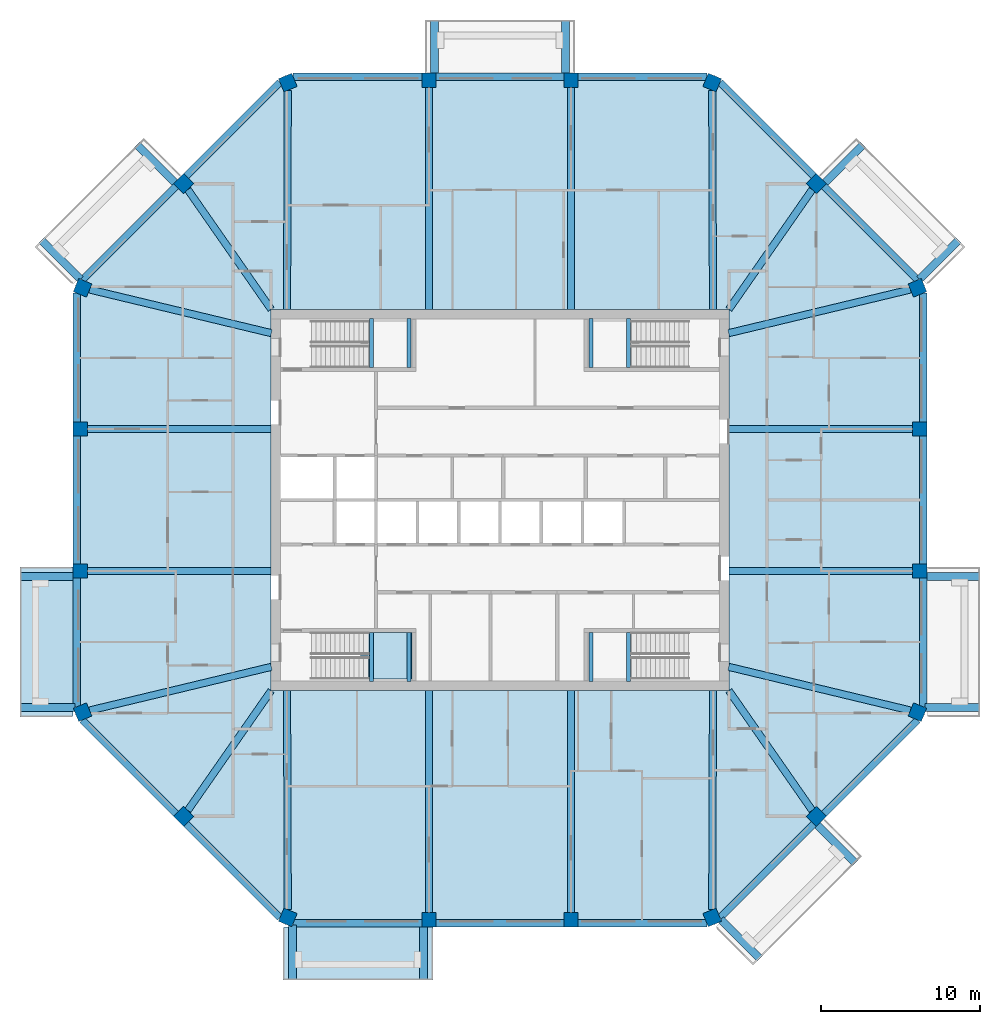
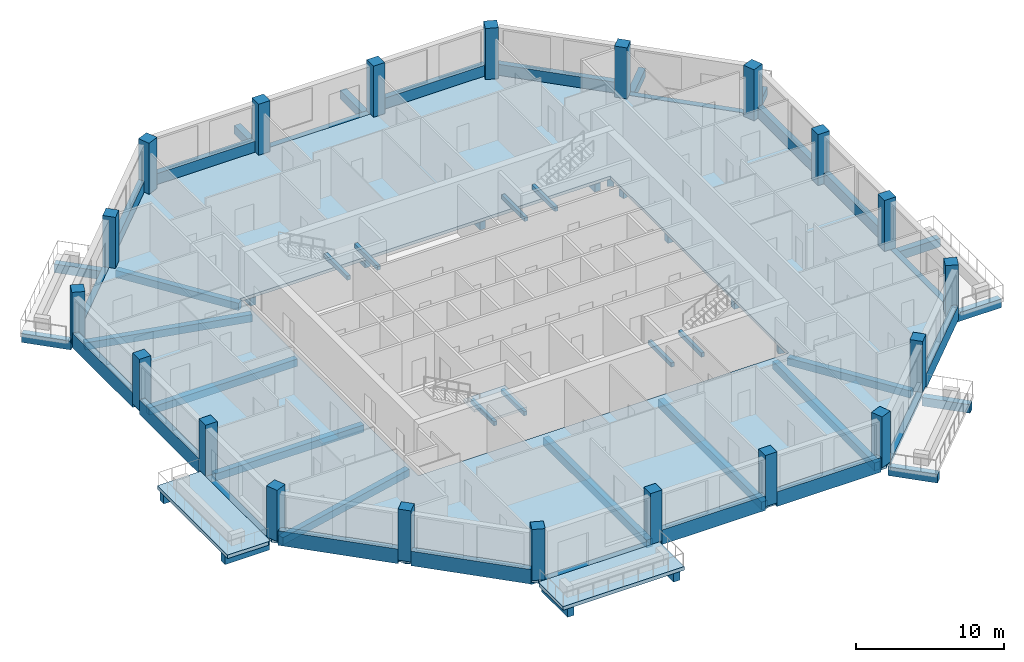
# One storey, part 1 of 11: 62 beams, 20 columns, 4 slabs, 1 element without a shape of its own.
"""IFC4 building model written with IfcOpenShell, lengths in metres."""

import ifcopenshell
import ifcopenshell.guid

model = None  # the IFC model being written
_history = None  # IfcOwnerHistory: only IFC2X3 demands one
_inside = {}  # id of a spatial element -> (the spatial element, [elements in it])
_under = {}  # id of a project, library or spatial element -> (it, [spatial elements below it])
_declared = {}  # id of a project -> (the project, [libraries it declares])
_typed = {}  # id of a type object -> (the type object, [elements of that type])
_made_of = {}  # id of a material, layer set ... -> (it, [elements and type objects made of it])


def new_model(schema):
    """Start an empty IFC model of exactly this schema.

    Asked for "IFC4X3", IfcOpenShell would pick the latest addendum, in which some entities
    have other attributes; the version numbers below select the first issue.
    IFC2X3 requires an IfcOwnerHistory on every rooted entity: one is made here for all.
    """
    global model, _history
    if schema == "IFC4X3":
        model = ifcopenshell.file(schema_version=(4, 3, 0, 0))
    else:
        model = ifcopenshell.file(schema=schema)
    _inside.clear()
    _under.clear()
    _declared.clear()
    _typed.clear()
    _made_of.clear()
    _history = None
    if model.schema == "IFC2X3":
        org = make("IfcOrganization", Name="unknown")
        user = make(
            "IfcPersonAndOrganization",
            ThePerson=make("IfcPerson", FamilyName="unknown"),
            TheOrganization=org,
        )
        app = make(
            "IfcApplication",
            ApplicationDeveloper=org,
            Version="unknown",
            ApplicationFullName="unknown",
            ApplicationIdentifier="unknown",
        )
        _history = make(
            "IfcOwnerHistory",
            OwningUser=user,
            OwningApplication=app,
            ChangeAction="ADDED",
            CreationDate=0,
        )
    return model


def make(cls, **values):
    """One entity of the class cls with the attributes given. An attribute that is None is left unset."""
    return model.create_entity(
        cls, **{name: value for name, value in values.items() if value is not None}
    )


def rooted(cls, **values):
    """An entity with a GlobalId (a new one), such as an element, a storey or a relation."""
    return make(cls, GlobalId=ifcopenshell.guid.new(), OwnerHistory=_history, **values)


def si_unit(unit_type, name, prefix=None):
    """IfcSIUnit, for example si_unit("LENGTHUNIT", "METRE", prefix="MILLI")."""
    return make("IfcSIUnit", UnitType=unit_type, Prefix=prefix, Name=name)


def assignment(units):
    """IfcUnitAssignment: the units of a project."""
    return None if units is None else make("IfcUnitAssignment", Units=units)


def point(xyz):
    """IfcCartesianPoint."""
    return None if xyz is None else make("IfcCartesianPoint", Coordinates=xyz)


def direction(xyz):
    """IfcDirection."""
    return None if xyz is None else make("IfcDirection", DirectionRatios=xyz)


def frame(location, z_axis=None, x_axis=None):
    """IfcAxis2Placement3D, a coordinate frame: its origin and axes. An axis left out is left unset."""
    return make(
        "IfcAxis2Placement3D",
        Location=point(location),
        Axis=direction(z_axis),
        RefDirection=direction(x_axis),
    )


def frame_2d(location, x_axis=None):
    """IfcAxis2Placement2D, a coordinate frame in the plane: its origin and x axis."""
    return make(
        "IfcAxis2Placement2D", Location=point(location), RefDirection=direction(x_axis)
    )


def origin():
    """The frame at (0, 0, 0) with its axes left unset."""
    return frame((0.0, 0.0, 0.0))


def origin_2d():
    """The frame at (0, 0) in the plane with its x axis left unset."""
    return frame_2d((0.0, 0.0))


def place(relative_to, where):
    """IfcLocalPlacement: puts the frame where relative to a parent placement (None: the world)."""
    return make(
        "IfcLocalPlacement", PlacementRelTo=relative_to, RelativePlacement=where
    )


def context(
    kind, dimensions, precision=None, world=None, true_north=None, identifier=None
):
    """IfcGeometricRepresentationContext, for example the 3D "Model" context."""
    return make(
        "IfcGeometricRepresentationContext",
        ContextIdentifier=identifier,
        ContextType=kind,
        CoordinateSpaceDimension=dimensions,
        Precision=precision,
        WorldCoordinateSystem=world,
        TrueNorth=true_north,
    )


def subcontext(parent, identifier, kind, view, scale=None):
    """IfcGeometricRepresentationSubContext, for example "Body" below "Model"."""
    return make(
        "IfcGeometricRepresentationSubContext",
        ContextIdentifier=identifier,
        ContextType=kind,
        ParentContext=parent,
        TargetScale=scale,
        TargetView=view,
    )


def project(units=None, contexts=None):
    """IfcProject with its units and contexts."""
    return rooted(
        "IfcProject",
        Name="project",
        RepresentationContexts=contexts,
        UnitsInContext=assignment(units),
    )


def spatial(cls, under=None, at=None, **own):
    """A site, building, storey or space (cls), placed at a placement, below another one or the project."""
    s = rooted(cls, ObjectPlacement=at, **own)
    if under is not None:
        _under.setdefault(under.id(), (under, []))[1].append(s)
    return s


def polyline(points):
    """IfcPolyline through the points."""
    return make("IfcPolyline", Points=[point(p) for p in points])


def profile(cls, at=None, kind="AREA", **sizes):
    """A parametric profile (cls). Its sizes go by their IFC names, for example OverallWidth=200.0."""
    return make(cls, ProfileType=kind, Position=at, **sizes)


def rectangle(**sizes):
    """IfcRectangleProfileDef."""
    return profile("IfcRectangleProfileDef", **sizes)


def outline(outer, holes=None, kind="AREA"):
    """IfcArbitraryClosedProfileDef: a profile drawn as a closed curve; with holes, ...WithVoids."""
    if holes is None:
        return make("IfcArbitraryClosedProfileDef", ProfileType=kind, OuterCurve=outer)
    return make(
        "IfcArbitraryProfileDefWithVoids",
        ProfileType=kind,
        OuterCurve=outer,
        InnerCurves=holes,
    )


def extrude(swept, where, along, depth):
    """IfcExtrudedAreaSolid: the profile swept, set in the frame where, extruded along a direction by depth."""
    return make(
        "IfcExtrudedAreaSolid",
        SweptArea=swept,
        Position=where,
        ExtrudedDirection=direction(along),
        Depth=depth,
    )


def shape(context_of_items, identifier, shape_type, items):
    """IfcShapeRepresentation: the items that make up one representation, for example the "Body"."""
    return make(
        "IfcShapeRepresentation",
        ContextOfItems=context_of_items,
        RepresentationIdentifier=identifier,
        RepresentationType=shape_type,
        Items=items,
    )


def material(Name=None, Category=None):
    """IfcMaterial."""
    return make("IfcMaterial", Name=Name, Category=Category)


def layer(
    of_material, thickness, ventilated=None, Name=None, Category=None, Priority=None
):
    """IfcMaterialLayer: one layer of a wall or slab, of a material (None: an air gap)."""
    return make(
        "IfcMaterialLayer",
        Material=of_material,
        LayerThickness=thickness,
        IsVentilated=ventilated,
        Name=Name,
        Category=Category,
        Priority=Priority,
    )


def layer_set(layers, Name=None):
    """IfcMaterialLayerSet."""
    return make("IfcMaterialLayerSet", MaterialLayers=layers, LayerSetName=Name)


def material_profile(
    of_material, cross_section, Name=None, Category=None, Priority=None
):
    """IfcMaterialProfile: a cross section and its material."""
    return make(
        "IfcMaterialProfile",
        Name=Name,
        Material=of_material,
        Profile=cross_section,
        Priority=Priority,
        Category=Category,
    )


def profile_set(profiles, Name=None, composite=None):
    """IfcMaterialProfileSet."""
    return make(
        "IfcMaterialProfileSet",
        Name=Name,
        MaterialProfiles=profiles,
        CompositeProfile=composite,
    )


def made_of(thing, what):
    """Note that an element or type object is made of a material, layer set ...; save() writes the relation."""
    if what is not None:
        _made_of.setdefault(what.id(), (what, []))[1].append(thing)
    return thing


def type_object(cls, material=None, **own):
    """A type object (cls), such as IfcWallType, which elements share."""
    return made_of(rooted(cls, **own), material)


def element(
    cls,
    number,
    at=None,
    inside=None,
    cuts=None,
    type_object=None,
    material=None,
    context=None,
    identifier="Body",
    shape_type=None,
    held_by="IfcProductDefinitionShape",
    body=None,
    shapes=None,
    **own,
):
    """One element of the class cls, such as IfcWall. Its Tag is "e" and its number.

    at: its placement. inside: the storey or other place that contains it. cuts: it is an
    opening in that element (IfcRelVoidsElement). A single representation is given by context,
    identifier, shape_type and body (its items); several are given by shapes. held_by: the class
    of the entity that holds the representations. save() writes the other relations.
    """
    e = rooted(cls, Tag="e%d" % number, ObjectPlacement=at, **own)
    if body is not None:
        shapes = [shape(context, identifier, shape_type, body)]
    if shapes is not None:
        e.Representation = make(held_by, Representations=shapes)
    if inside is not None:
        _inside.setdefault(inside.id(), (inside, []))[1].append(e)
    if cuts is not None:
        rooted(
            "IfcRelVoidsElement", RelatingBuildingElement=cuts, RelatedOpeningElement=e
        )
    if type_object is not None:
        _typed.setdefault(type_object.id(), (type_object, []))[1].append(e)
    return made_of(e, material)


def aggregate(whole, parts):
    """IfcRelAggregates: a whole, such as a stair, and the parts it consists of."""
    return rooted("IfcRelAggregates", RelatingObject=whole, RelatedObjects=parts)


def save(model, path):
    """Write the relations noted so far, then the file.

    IfcRelAggregates (storeys below a building ...), IfcRelContainedInSpatialStructure (elements
    in a storey), IfcRelDefinesByType, IfcRelAssociatesMaterial and IfcRelDeclares: one each for
    every whole, place, type object, material and project.
    """
    for whole, parts in _under.values():
        aggregate(whole, parts)
    for where, things in _inside.values():
        rooted(
            "IfcRelContainedInSpatialStructure",
            RelatedElements=things,
            RelatingStructure=where,
        )
    for kind, things in _typed.values():
        rooted("IfcRelDefinesByType", RelatedObjects=things, RelatingType=kind)
    for what, things in _made_of.values():
        rooted("IfcRelAssociatesMaterial", RelatedObjects=things, RelatingMaterial=what)
    for by, libraries in _declared.values():
        rooted("IfcRelDeclares", RelatingContext=by, RelatedDefinitions=libraries)
    model.write(path)


model = new_model("IFC4")

# Units and contexts
model_context = context("Model", 3, precision=1e-05, world=origin(), true_north=direction((0.0, 1.0)))
body_context = subcontext(model_context, "Body", "Model", "MODEL_VIEW")
ifc_project = project(units=[si_unit("LENGTHUNIT", "METRE"), si_unit("AREAUNIT", "SQUARE_METRE"), si_unit("VOLUMEUNIT", "CUBIC_METRE"), si_unit("PLANEANGLEUNIT", "RADIAN"), si_unit("MASSUNIT", "GRAM", prefix="KILO")], contexts=[model_context])

# Site, building, storey
site_placement = place(None, origin())
site = spatial("IfcSite", under=ifc_project, at=site_placement, CompositionType="ELEMENT")
building_placement = place(site_placement, origin())
building = spatial("IfcBuilding", under=site, at=building_placement, Name="Msitu Wima Residences", CompositionType="ELEMENT")
storey_placement = place(building_placement, frame((0.0, 0.0, 268.5)))
storey = spatial("IfcBuildingStorey", under=building, at=storey_placement, Name="L62", CompositionType="ELEMENT", Elevation=268.5)

# Columns
ifc_material_1 = material(Name="Concrete C50/60", Category="concrete")
ifc_material_profile_1 = material_profile(ifc_material_1, rectangle(XDim=0.89990234375, YDim=0.89990234375, at=origin_2d()), Name="RC 900x900")
ifc_profile_set_1 = profile_set([ifc_material_profile_1], Name="Concrete C50/60")
column_type = type_object("IfcColumnType", Name="Column RC 900x900 Concrete C50/60", PredefinedType="COLUMN", material=ifc_profile_set_1)
for number, where, z_axis, x_axis, name in (
    (1, (26.261962890625, -13.3486328125, 0.0), (0.0, 0.0, 1.0), (0.382683496864, 0.923879505795, 0.0), "Column L62 C-E0"),
    (2, (26.39990234375, -4.46875, 0.0), (0.0, 0.0, 1.0), (0.0, 1.0, 0.0), "Column L62 C-E1"),
    (3, (26.39990234375, 4.46875, 0.0), (0.0, 0.0, 1.0), (0.0, 1.0, 0.0), "Column L62 C-E2"),
    (4, (26.261962890625, 13.3486328125, 0.0), (0.0, 0.0, 1.0), (-0.382683496864, 0.923879505795, 0.0), "Column L62 C-NE0"),
    (5, (19.90283203125, 19.90283203125, 0.0), (0.0, 0.0, 1.0), (-0.707106781187, 0.707106781187, 0.0), "Column L62 C-NE1"),
    (6, (13.3486328125, 26.261962890625, 0.0), (0.0, 0.0, 1.0), (-0.923879505795, 0.382683496864, 0.0), "Column L62 C-N0"),
    (7, (4.46875, 26.39990234375, 0.0), (0.0, 0.0, 1.0), (-1.0, 0.0, 0.0), "Column L62 C-N1"),
    (8, (-4.46875, 26.39990234375, 0.0), (0.0, 0.0, 1.0), (-1.0, 0.0, 0.0), "Column L62 C-N2"),
    (9, (-13.3486328125, 26.261962890625, 0.0), (0.0, 0.0, 1.0), (-0.923879505795, -0.382683496864, 0.0), "Column L62 C-NW0"),
    (10, (-19.90283203125, 19.90283203125, 0.0), (0.0, 0.0, 1.0), (-0.707106781187, -0.707106781187, 0.0), "Column L62 C-NW1"),
    (11, (-26.261962890625, 13.3486328125, 0.0), (0.0, 0.0, 1.0), (-0.382683496864, -0.923879505795, 0.0), "Column L62 C-W0"),
    (12, (-26.39990234375, 4.46875, 0.0), (0.0, 0.0, 1.0), (0.0, -1.0, 0.0), "Column L62 C-W1"),
    (13, (-26.39990234375, -4.46875, 0.0), (0.0, 0.0, 1.0), (0.0, -1.0, 0.0), "Column L62 C-W2"),
    (14, (-26.261962890625, -13.3486328125, 0.0), (0.0, 0.0, 1.0), (0.382683496864, -0.923879505795, 0.0), "Column L62 C-SW0"),
    (15, (-19.90283203125, -19.90283203125, 0.0), (0.0, 0.0, 1.0), (0.707106781187, -0.707106781187, 0.0), "Column L62 C-SW1"),
    (16, (-13.3486328125, -26.261962890625, 0.0), (0.0, 0.0, 1.0), (0.923879505795, -0.382683496864, 0.0), "Column L62 C-S0"),
    (17, (-4.46875, -26.39990234375, 0.0), (0.0, 0.0, 1.0), (1.0, 0.0, 0.0), "Column L62 C-S1"),
    (18, (4.46875, -26.39990234375, 0.0), (0.0, 0.0, 1.0), (1.0, 0.0, 0.0), "Column L62 C-S2"),
    (19, (13.3486328125, -26.261962890625, 0.0), (0.0, 0.0, 1.0), (0.923879505795, 0.382683496864, 0.0), "Column L62 C-SE0"),
    (20, (19.90283203125, -19.90283203125, 0.0), (0.0, 0.0, 1.0), (0.707106781187, 0.707106781187, 0.0), "Column L62 C-SE1"),
):
    element("IfcColumn", number, at=place(storey_placement, frame(where, z_axis=z_axis, x_axis=x_axis)), inside=storey, type_object=column_type, Name=name, PredefinedType="COLUMN", context=body_context, shape_type="SweptSolid", body=[
        extrude(rectangle(XDim=0.89990234375, YDim=0.89990234375, at=origin_2d()), origin(), (0.0, 0.0, 1.0), 4.199951171875),
    ])

# Beams
ifc_material_profile_2 = material_profile(ifc_material_1, rectangle(XDim=0.449951171875, YDim=0.60009765625, at=origin_2d()), Name="RC 450x600")
ifc_profile_set_2 = profile_set([ifc_material_profile_2], Name="Concrete C50/60")
beam_type_1 = type_object("IfcBeamType", Name="Beam RC 450x600 Concrete C50/60", PredefinedType="BEAM", material=ifc_profile_set_2)
beam_1_placement = place(storey_placement, frame((25.819091796875, -13.242431640625, -0.550048828125), z_axis=(-0.972353359268, 0.233514335148, 0.0), x_axis=(-0.233514335148, -0.972353359268, 0.0)))
element("IfcBeam", 21, at=beam_1_placement, inside=storey, type_object=beam_type_1, Name="Beam L62 C-E0", PredefinedType="BEAM", context=body_context, shape_type="SweptSolid", body=[
    extrude(rectangle(XDim=0.449951171875, YDim=0.60009765625, at=origin_2d()), origin(), (0.0, 0.0, 1.0), 11.755615234375),
])
for number, where, z_axis, x_axis, name in (
    (22, (25.949951171875, -4.46875, -0.550048828125), (-1.0, 0.0, 0.0), (0.0, -1.0, 0.0), "Beam L62 C-E1"),
    (23, (25.949951171875, 4.46875, -0.550048828125), (-1.0, 0.0, 0.0), (0.0, -1.0, 0.0), "Beam L62 C-E2"),
):
    element("IfcBeam", number, at=place(storey_placement, frame(where, z_axis=z_axis, x_axis=x_axis)), inside=storey, type_object=beam_type_1, Name=name, PredefinedType="BEAM", context=body_context, shape_type="SweptSolid", body=[
        extrude(rectangle(XDim=0.449951171875, YDim=0.60009765625, at=origin_2d()), origin(), (0.0, 0.0, 1.0), 11.550048828125),
    ])
beam_2_placement = place(storey_placement, frame((25.819091796875, 13.242431640625, -0.550048828125), z_axis=(-0.972353359268, -0.233514335148, 0.0), x_axis=(0.233514335148, -0.972353359268, 0.0)))
element("IfcBeam", 24, at=beam_2_placement, inside=storey, type_object=beam_type_1, Name="Beam L62 C-NE0", PredefinedType="BEAM", context=body_context, shape_type="SweptSolid", body=[
    extrude(rectangle(XDim=0.449951171875, YDim=0.60009765625, at=origin_2d()), origin(), (0.0, 0.0, 1.0), 11.755615234375),
])
for number, where, z_axis, x_axis, name in (
    (25, (19.6416015625, 19.52783203125, -0.550048828125), (-0.571427822633, -0.820652328042, 0.0), (0.820652328042, -0.571427822633, 0.0), "Beam L62 C-NE1"),
    (26, (-19.6416015625, 19.52783203125, -0.550048828125), (0.571427822633, -0.820652328042, 0.0), (0.820652328042, 0.571427822633, 0.0), "Beam L62 C-NW1"),
):
    element("IfcBeam", number, at=place(storey_placement, frame(where, z_axis=z_axis, x_axis=x_axis)), inside=storey, type_object=beam_type_1, Name=name, PredefinedType="BEAM", context=body_context, shape_type="SweptSolid", body=[
        extrude(rectangle(XDim=0.449951171875, YDim=0.60009765625, at=origin_2d()), origin(), (0.0, 0.0, 1.0), 9.173095703125),
    ])
beam_3_placement = place(storey_placement, frame((-25.819091796875, 13.242431640625, -0.550048828125), z_axis=(0.972353359268, -0.233514335148, 0.0), x_axis=(0.233514335148, 0.972353359268, 0.0)))
element("IfcBeam", 27, at=beam_3_placement, inside=storey, type_object=beam_type_1, Name="Beam L62 C-W0", PredefinedType="BEAM", context=body_context, shape_type="SweptSolid", body=[
    extrude(rectangle(XDim=0.449951171875, YDim=0.60009765625, at=origin_2d()), origin(), (0.0, 0.0, 1.0), 11.755615234375),
])
for number, where, z_axis, x_axis, name in (
    (28, (-25.949951171875, 4.46875, -0.550048828125), (1.0, 0.0, 0.0), (0.0, 1.0, 0.0), "Beam L62 C-W1"),
    (29, (-25.949951171875, -4.46875, -0.550048828125), (1.0, 0.0, 0.0), (0.0, 1.0, 0.0), "Beam L62 C-W2"),
):
    element("IfcBeam", number, at=place(storey_placement, frame(where, z_axis=z_axis, x_axis=x_axis)), inside=storey, type_object=beam_type_1, Name=name, PredefinedType="BEAM", context=body_context, shape_type="SweptSolid", body=[
        extrude(rectangle(XDim=0.449951171875, YDim=0.60009765625, at=origin_2d()), origin(), (0.0, 0.0, 1.0), 11.550048828125),
    ])
beam_4_placement = place(storey_placement, frame((-25.819091796875, -13.242431640625, -0.550048828125), z_axis=(0.972353359268, 0.233514335148, 0.0), x_axis=(-0.233514335148, 0.972353359268, 0.0)))
element("IfcBeam", 30, at=beam_4_placement, inside=storey, type_object=beam_type_1, Name="Beam L62 C-SW0", PredefinedType="BEAM", context=body_context, shape_type="SweptSolid", body=[
    extrude(rectangle(XDim=0.449951171875, YDim=0.60009765625, at=origin_2d()), origin(), (0.0, 0.0, 1.0), 11.755615234375),
])
for number, where, z_axis, x_axis, name in (
    (31, (-19.6416015625, -19.52783203125, -0.550048828125), (0.571427822633, 0.820652328042, 0.0), (-0.820652328042, 0.571427822633, 0.0), "Beam L62 C-SW1"),
    (32, (19.6416015625, -19.52783203125, -0.550048828125), (-0.571427822633, 0.820652328042, 0.0), (-0.820652328042, -0.571427822633, 0.0), "Beam L62 C-SE1"),
):
    element("IfcBeam", number, at=place(storey_placement, frame(where, z_axis=z_axis, x_axis=x_axis)), inside=storey, type_object=beam_type_1, Name=name, PredefinedType="BEAM", context=body_context, shape_type="SweptSolid", body=[
        extrude(rectangle(XDim=0.449951171875, YDim=0.60009765625, at=origin_2d()), origin(), (0.0, 0.0, 1.0), 9.173095703125),
    ])
ifc_material_profile_3 = material_profile(ifc_material_1, rectangle(XDim=0.449951171875, YDim=0.64990234375, at=origin_2d()), Name="RC 450x650")
ifc_profile_set_3 = profile_set([ifc_material_profile_3], Name="Concrete C50/60")
beam_type_2 = type_object("IfcBeamType", Name="Beam RC 450x650 Concrete C50/60", PredefinedType="BEAM", material=ifc_profile_set_3)
beam_5_placement = place(storey_placement, frame((13.3505859375, 25.774169921875, -0.574951171875), z_axis=(0.003594933206, -0.999993538207, 0.0), x_axis=(0.999993538207, 0.003594933206, 0.0)))
element("IfcBeam", 33, at=beam_5_placement, inside=storey, type_object=beam_type_2, Name="Beam L62 C-N0", PredefinedType="BEAM", context=body_context, shape_type="SweptSolid", body=[
    extrude(rectangle(XDim=0.449951171875, YDim=0.64990234375, at=origin_2d()), origin(), (0.0, 0.0, 1.0), 13.7861328125),
])
for number, where, z_axis, x_axis, name in (
    (34, (4.46875, 25.949951171875, -0.574951171875), (0.0, -1.0, 0.0), (1.0, 0.0, 0.0), "Beam L62 C-N1"),
    (35, (-4.46875, 25.949951171875, -0.574951171875), (0.0, -1.0, 0.0), (1.0, 0.0, 0.0), "Beam L62 C-N2"),
):
    element("IfcBeam", number, at=place(storey_placement, frame(where, z_axis=z_axis, x_axis=x_axis)), inside=storey, type_object=beam_type_2, Name=name, PredefinedType="BEAM", context=body_context, shape_type="SweptSolid", body=[
        extrude(rectangle(XDim=0.449951171875, YDim=0.64990234375, at=origin_2d()), origin(), (0.0, 0.0, 1.0), 13.949951171875),
    ])
for number, where, z_axis, x_axis, name in (
    (36, (-13.3505859375, 25.774169921875, -0.574951171875), (-0.003594933206, -0.999993538207, 0.0), (0.999993538207, -0.003594933206, 0.0), "Beam L62 C-NW0"),
    (37, (-13.3505859375, -25.774169921875, -0.574951171875), (-0.003594933206, 0.999993538207, 0.0), (-0.999993538207, -0.003594933206, 0.0), "Beam L62 C-S0"),
):
    element("IfcBeam", number, at=place(storey_placement, frame(where, z_axis=z_axis, x_axis=x_axis)), inside=storey, type_object=beam_type_2, Name=name, PredefinedType="BEAM", context=body_context, shape_type="SweptSolid", body=[
        extrude(rectangle(XDim=0.449951171875, YDim=0.64990234375, at=origin_2d()), origin(), (0.0, 0.0, 1.0), 13.7861328125),
    ])
for number, where, z_axis, x_axis, name in (
    (38, (-4.46875, -25.949951171875, -0.574951171875), (0.0, 1.0, 0.0), (-1.0, 0.0, 0.0), "Beam L62 C-S1"),
    (39, (4.46875, -25.949951171875, -0.574951171875), (0.0, 1.0, 0.0), (-1.0, 0.0, 0.0), "Beam L62 C-S2"),
):
    element("IfcBeam", number, at=place(storey_placement, frame(where, z_axis=z_axis, x_axis=x_axis)), inside=storey, type_object=beam_type_2, Name=name, PredefinedType="BEAM", context=body_context, shape_type="SweptSolid", body=[
        extrude(rectangle(XDim=0.449951171875, YDim=0.64990234375, at=origin_2d()), origin(), (0.0, 0.0, 1.0), 13.949951171875),
    ])
beam_6_placement = place(storey_placement, frame((13.3505859375, -25.774169921875, -0.574951171875), z_axis=(0.003594933206, 0.999993538207, 0.0), x_axis=(-0.999993538207, 0.003594933206, 0.0)))
element("IfcBeam", 40, at=beam_6_placement, inside=storey, type_object=beam_type_2, Name="Beam L62 C-SE0", PredefinedType="BEAM", context=body_context, shape_type="SweptSolid", body=[
    extrude(rectangle(XDim=0.449951171875, YDim=0.64990234375, at=origin_2d()), origin(), (0.0, 0.0, 1.0), 13.7861328125),
])
ifc_material_profile_4 = material_profile(ifc_material_1, rectangle(XDim=0.5, YDim=0.699951171875, at=origin_2d()), Name="RC 500x700")
ifc_profile_set_4 = profile_set([ifc_material_profile_4], Name="Concrete C50/60")
beam_type_3 = type_object("IfcBeamType", Name="Cantilever beam RC 500x700 Concrete C50/60", PredefinedType="BEAM", material=ifc_profile_set_4)
beam_7_placement = place(storey_placement, frame((26.73095703125, -13.055908203125, -0.64990234375), z_axis=(1.0, 0.0, 0.0), x_axis=(0.0, 1.0, 0.0)))
element("IfcBeam", 41, at=beam_7_placement, inside=storey, type_object=beam_type_3, Name="Cantilever beam L62 BA-E0 A", PredefinedType="BEAM", context=body_context, shape_type="SweptSolid", body=[
    extrude(rectangle(XDim=0.5, YDim=0.699951171875, at=origin_2d()), origin(), (0.0, 0.0, 1.0), 3.468994140625),
])
beam_8_placement = place(storey_placement, frame((26.85009765625, -4.818603515625, -0.64990234375), z_axis=(1.0, 0.0, 0.0), x_axis=(0.0, 1.0, 0.0)))
element("IfcBeam", 42, at=beam_8_placement, inside=storey, type_object=beam_type_3, Name="Cantilever beam L62 BA-E0 B", PredefinedType="BEAM", context=body_context, shape_type="SweptSolid", body=[
    extrude(rectangle(XDim=0.5, YDim=0.699951171875, at=origin_2d()), origin(), (0.0, 0.0, 1.0), 3.349853515625),
])
beam_9_placement = place(storey_placement, frame((26.386474609375, 13.887451171875, -0.64990234375), z_axis=(0.707141968506, 0.707071592116, 0.0), x_axis=(-0.707071592116, 0.707141968506, 0.0)))
element("IfcBeam", 43, at=beam_9_placement, inside=storey, type_object=beam_type_3, Name="Cantilever beam L62 BA-NE0 A", PredefinedType="BEAM", context=body_context, shape_type="SweptSolid", body=[
    extrude(rectangle(XDim=0.5, YDim=0.699951171875, at=origin_2d()), origin(), (0.0, 0.0, 1.0), 3.468994140625),
])
for number, where, z_axis, x_axis, name in (
    (44, (20.46875, 19.9736328125, -0.64990234375), (0.707070340836, 0.707143219659, 0.0), (-0.707143219659, 0.707070340836, 0.0), "Cantilever beam L62 BA-NE0 B"),
    (45, (4.11865234375, 26.85009765625, -0.64990234375), (0.0, 1.0, 0.0), (-1.0, 0.0, 0.0), "Cantilever beam L62 BA-N1 A"),
    (46, (-4.11865234375, 26.85009765625, -0.64990234375), (0.0, 1.0, 0.0), (-1.0, 0.0, 0.0), "Cantilever beam L62 BA-N1 B"),
    (47, (-20.46875, 19.9736328125, -0.64990234375), (-0.707070340836, 0.707143219659, 0.0), (-0.707143219659, -0.707070340836, 0.0), "Cantilever beam L62 BA-NW1 A"),
):
    element("IfcBeam", number, at=place(storey_placement, frame(where, z_axis=z_axis, x_axis=x_axis)), inside=storey, type_object=beam_type_3, Name=name, PredefinedType="BEAM", context=body_context, shape_type="SweptSolid", body=[
        extrude(rectangle(XDim=0.5, YDim=0.699951171875, at=origin_2d()), origin(), (0.0, 0.0, 1.0), 3.349853515625),
    ])
beam_10_placement = place(storey_placement, frame((-26.386474609375, 13.887451171875, -0.64990234375), z_axis=(-0.707141968506, 0.707071592116, 0.0), x_axis=(-0.707071592116, -0.707141968506, 0.0)))
element("IfcBeam", 48, at=beam_10_placement, inside=storey, type_object=beam_type_3, Name="Cantilever beam L62 BA-NW1 B", PredefinedType="BEAM", context=body_context, shape_type="SweptSolid", body=[
    extrude(rectangle(XDim=0.5, YDim=0.699951171875, at=origin_2d()), origin(), (0.0, 0.0, 1.0), 3.468994140625),
])
beam_11_placement = place(storey_placement, frame((-26.85009765625, -4.818603515625, -0.64990234375), z_axis=(-1.0, 0.0, 0.0), x_axis=(0.0, -1.0, 0.0)))
element("IfcBeam", 49, at=beam_11_placement, inside=storey, type_object=beam_type_3, Name="Cantilever beam L62 BA-W2 A", PredefinedType="BEAM", context=body_context, shape_type="SweptSolid", body=[
    extrude(rectangle(XDim=0.5, YDim=0.699951171875, at=origin_2d()), origin(), (0.0, 0.0, 1.0), 3.349853515625),
])
for number, where, z_axis, x_axis, name in (
    (50, (-26.73095703125, -13.055908203125, -0.64990234375), (-1.0, 0.0, 0.0), (0.0, -1.0, 0.0), "Cantilever beam L62 BA-W2 B"),
    (51, (-13.055908203125, -26.73095703125, -0.64990234375), (0.0, -1.0, 0.0), (1.0, 0.0, 0.0), "Cantilever beam L62 BA-S0 A"),
):
    element("IfcBeam", number, at=place(storey_placement, frame(where, z_axis=z_axis, x_axis=x_axis)), inside=storey, type_object=beam_type_3, Name=name, PredefinedType="BEAM", context=body_context, shape_type="SweptSolid", body=[
        extrude(rectangle(XDim=0.5, YDim=0.699951171875, at=origin_2d()), origin(), (0.0, 0.0, 1.0), 3.468994140625),
    ])
beam_12_placement = place(storey_placement, frame((-4.818603515625, -26.85009765625, -0.64990234375), z_axis=(0.0, -1.0, 0.0), x_axis=(1.0, 0.0, 0.0)))
element("IfcBeam", 52, at=beam_12_placement, inside=storey, type_object=beam_type_3, Name="Cantilever beam L62 BA-S0 B", PredefinedType="BEAM", context=body_context, shape_type="SweptSolid", body=[
    extrude(rectangle(XDim=0.5, YDim=0.699951171875, at=origin_2d()), origin(), (0.0, 0.0, 1.0), 3.349853515625),
])
beam_13_placement = place(storey_placement, frame((13.887451171875, -26.386474609375, -0.64990234375), z_axis=(0.707071592116, -0.707141968506, 0.0), x_axis=(0.707141968506, 0.707071592116, 0.0)))
element("IfcBeam", 53, at=beam_13_placement, inside=storey, type_object=beam_type_3, Name="Cantilever beam L62 BA-SE0 A", PredefinedType="BEAM", context=body_context, shape_type="SweptSolid", body=[
    extrude(rectangle(XDim=0.5, YDim=0.699951171875, at=origin_2d()), origin(), (0.0, 0.0, 1.0), 3.468994140625),
])
beam_14_placement = place(storey_placement, frame((19.9736328125, -20.46875, -0.64990234375), z_axis=(0.707143219659, -0.707070340836, 0.0), x_axis=(0.707070340836, 0.707143219659, 0.0)))
element("IfcBeam", 54, at=beam_14_placement, inside=storey, type_object=beam_type_3, Name="Cantilever beam L62 BA-SE0 B", PredefinedType="BEAM", context=body_context, shape_type="SweptSolid", body=[
    extrude(rectangle(XDim=0.5, YDim=0.699951171875, at=origin_2d()), origin(), (0.0, 0.0, 1.0), 3.349853515625),
])
ifc_material_profile_5 = material_profile(ifc_material_1, rectangle(XDim=0.449951171875, YDim=0.300048828125, at=origin_2d()), Name="RC 450x300")
ifc_profile_set_5 = profile_set([ifc_material_profile_5], Name="Concrete C50/60")
beam_type_4 = type_object("IfcBeamType", Name="Edge beam RC 450x300 Concrete C50/60", PredefinedType="SPANDREL", material=ifc_profile_set_5)
beam_15_placement = place(storey_placement, frame((26.625, -13.02392578125, -0.14990234375), z_axis=(0.0, 1.0, 0.0), x_axis=(-1.0, 0.0, 0.0)))
element("IfcBeam", 55, at=beam_15_placement, inside=storey, type_object=beam_type_4, Name="Spandrel L62 E0", PredefinedType="SPANDREL", context=body_context, shape_type="SweptSolid", body=[
    extrude(rectangle(XDim=0.449951171875, YDim=0.300048828125, at=origin_2d()), origin(), (0.0, 0.0, 1.0), 8.105224609375),
])
beam_16_placement = place(storey_placement, frame((26.2890625, 13.8349609375, -0.14990234375), z_axis=(-0.707106781187, 0.707106781187, 0.0), x_axis=(-0.707106781187, -0.707106781187, 0.0)))
element("IfcBeam", 56, at=beam_16_placement, inside=storey, type_object=beam_type_4, Name="Spandrel L62 NE0", PredefinedType="SPANDREL", context=body_context, shape_type="SweptSolid", body=[
    extrude(rectangle(XDim=0.449951171875, YDim=0.300048828125, at=origin_2d()), origin(), (0.0, 0.0, 1.0), 8.3564453125),
])
beam_17_placement = place(storey_placement, frame((4.0185546875, 26.625, -0.14990234375), z_axis=(-1.0, 0.0, 0.0), x_axis=(0.0, -1.0, 0.0)))
element("IfcBeam", 57, at=beam_17_placement, inside=storey, type_object=beam_type_4, Name="Spandrel L62 N1", PredefinedType="SPANDREL", context=body_context, shape_type="SweptSolid", body=[
    extrude(rectangle(XDim=0.449951171875, YDim=0.300048828125, at=origin_2d()), origin(), (0.0, 0.0, 1.0), 8.037109375),
])
beam_18_placement = place(storey_placement, frame((-20.380126953125, 19.743896484375, -0.14990234375), z_axis=(-0.707106781187, -0.707106781187, 0.0), x_axis=(0.707106781187, -0.707106781187, 0.0)))
element("IfcBeam", 58, at=beam_18_placement, inside=storey, type_object=beam_type_4, Name="Spandrel L62 NW1", PredefinedType="SPANDREL", context=body_context, shape_type="SweptSolid", body=[
    extrude(rectangle(XDim=0.449951171875, YDim=0.300048828125, at=origin_2d()), origin(), (0.0, 0.0, 1.0), 8.3564453125),
])
for number, where, z_axis, x_axis, name in (
    (59, (-26.625, -4.918701171875, -0.14990234375), (0.0, -1.0, 0.0), (1.0, 0.0, 0.0), "Spandrel L62 W2"),
    (60, (-13.02392578125, -26.625, -0.14990234375), (1.0, 0.0, 0.0), (0.0, 1.0, 0.0), "Spandrel L62 S0"),
):
    element("IfcBeam", number, at=place(storey_placement, frame(where, z_axis=z_axis, x_axis=x_axis)), inside=storey, type_object=beam_type_4, Name=name, PredefinedType="SPANDREL", context=body_context, shape_type="SweptSolid", body=[
        extrude(rectangle(XDim=0.449951171875, YDim=0.300048828125, at=origin_2d()), origin(), (0.0, 0.0, 1.0), 8.105224609375),
    ])
beam_19_placement = place(storey_placement, frame((13.8349609375, -26.2890625, -0.14990234375), z_axis=(0.707106781187, 0.707106781187, 0.0), x_axis=(-0.707106781187, 0.707106781187, 0.0)))
element("IfcBeam", 61, at=beam_19_placement, inside=storey, type_object=beam_type_4, Name="Spandrel L62 SE0", PredefinedType="SPANDREL", context=body_context, shape_type="SweptSolid", body=[
    extrude(rectangle(XDim=0.449951171875, YDim=0.300048828125, at=origin_2d()), origin(), (0.0, 0.0, 1.0), 8.3564453125),
])
ifc_material_2 = material(Name="Concrete C40/50", Category="concrete")
ifc_material_profile_6 = material_profile(ifc_material_2, rectangle(XDim=0.25, YDim=0.35009765625, at=origin_2d()), Name="RC 250x350")
ifc_profile_set_6 = profile_set([ifc_material_profile_6], Name="Concrete C40/50")
beam_type_5 = type_object("IfcBeamType", Name="Landing beam RC 250x350", PredefinedType="BEAM", material=ifc_profile_set_6)
for number, where, z_axis, x_axis, name in (
    (62, (-8.074951171875, 8.324951171875, 1.72509765625), (0.0, 1.0, 0.0), (-1.0, 0.0, 0.0), "Stair 1 landing beam"),
    (63, (-5.72509765625, 8.324951171875, 1.72509765625), (0.0, 1.0, 0.0), (-1.0, 0.0, 0.0), "Stair 1 landing beam"),
    (64, (-8.074951171875, -11.425048828125, 1.72509765625), (0.0, 1.0, 0.0), (-1.0, 0.0, 0.0), "Stair 2 landing beam"),
    (65, (-5.72509765625, -11.425048828125, 1.72509765625), (0.0, 1.0, 0.0), (-1.0, 0.0, 0.0), "Stair 2 landing beam"),
    (66, (8.074951171875, 8.324951171875, 1.72509765625), (0.0, 1.0, 0.0), (-1.0, 0.0, 0.0), "Stair 3 landing beam"),
    (67, (5.72509765625, 8.324951171875, 1.72509765625), (0.0, 1.0, 0.0), (-1.0, 0.0, 0.0), "Stair 3 landing beam"),
    (68, (8.074951171875, -11.425048828125, 1.72509765625), (0.0, 1.0, 0.0), (-1.0, 0.0, 0.0), "Stair 4 landing beam"),
    (69, (5.72509765625, -11.425048828125, 1.72509765625), (0.0, 1.0, 0.0), (-1.0, 0.0, 0.0), "Stair 4 landing beam"),
):
    element("IfcBeam", number, at=place(storey_placement, frame(where, z_axis=z_axis, x_axis=x_axis)), inside=storey, type_object=beam_type_5, Name=name, PredefinedType="BEAM", context=body_context, shape_type="SweptSolid", body=[
        extrude(rectangle(XDim=0.25, YDim=0.35009765625, at=origin_2d()), origin(), (0.0, 0.0, 1.0), 3.10009765625),
    ])
ifc_material_profile_7 = material_profile(ifc_material_1, rectangle(XDim=0.449951171875, YDim=1.199951171875, at=origin_2d()), Name="RC 450x1200")
ifc_profile_set_7 = profile_set([ifc_material_profile_7], Name="Concrete C50/60")
beam_type_6 = type_object("IfcBeamType", Name="Spandrel RC 450x1200 Concrete C50/60", PredefinedType="SPANDREL", material=ifc_profile_set_7)
beam_20_placement = place(storey_placement, frame((26.625, -4.0185546875, 0.300048828125), z_axis=(0.0, 1.0, 0.0), x_axis=(-1.0, 0.0, 0.0)))
element("IfcBeam", 70, at=beam_20_placement, inside=storey, type_object=beam_type_6, Name="Spandrel L62 E1", PredefinedType="SPANDREL", context=body_context, shape_type="SweptSolid", body=[
    extrude(rectangle(XDim=0.449951171875, YDim=1.199951171875, at=origin_2d()), origin(), (0.0, 0.0, 1.0), 8.037109375),
])
beam_21_placement = place(storey_placement, frame((26.625, 4.918701171875, 0.300048828125), z_axis=(0.0, 1.0, 0.0), x_axis=(-1.0, 0.0, 0.0)))
element("IfcBeam", 71, at=beam_21_placement, inside=storey, type_object=beam_type_6, Name="Spandrel L62 E2", PredefinedType="SPANDREL", context=body_context, shape_type="SweptSolid", body=[
    extrude(rectangle(XDim=0.449951171875, YDim=1.199951171875, at=origin_2d()), origin(), (0.0, 0.0, 1.0), 8.105224609375),
])
beam_22_placement = place(storey_placement, frame((19.743896484375, 20.380126953125, 0.300048828125), z_axis=(-0.707106781187, 0.707106781187, 0.0), x_axis=(-0.707106781187, -0.707106781187, 0.0)))
element("IfcBeam", 72, at=beam_22_placement, inside=storey, type_object=beam_type_6, Name="Spandrel L62 NE1", PredefinedType="SPANDREL", context=body_context, shape_type="SweptSolid", body=[
    extrude(rectangle(XDim=0.449951171875, YDim=1.199951171875, at=origin_2d()), origin(), (0.0, 0.0, 1.0), 8.3564453125),
])
for number, where, z_axis, x_axis, name in (
    (73, (13.02392578125, 26.625, 0.300048828125), (-1.0, 0.0, 0.0), (0.0, -1.0, 0.0), "Spandrel L62 N0"),
    (74, (-4.918701171875, 26.625, 0.300048828125), (-1.0, 0.0, 0.0), (0.0, -1.0, 0.0), "Spandrel L62 N2"),
):
    element("IfcBeam", number, at=place(storey_placement, frame(where, z_axis=z_axis, x_axis=x_axis)), inside=storey, type_object=beam_type_6, Name=name, PredefinedType="SPANDREL", context=body_context, shape_type="SweptSolid", body=[
        extrude(rectangle(XDim=0.449951171875, YDim=1.199951171875, at=origin_2d()), origin(), (0.0, 0.0, 1.0), 8.105224609375),
    ])
beam_23_placement = place(storey_placement, frame((-13.8349609375, 26.2890625, 0.300048828125), z_axis=(-0.707106781187, -0.707106781187, 0.0), x_axis=(0.707106781187, -0.707106781187, 0.0)))
element("IfcBeam", 75, at=beam_23_placement, inside=storey, type_object=beam_type_6, Name="Spandrel L62 NW0", PredefinedType="SPANDREL", context=body_context, shape_type="SweptSolid", body=[
    extrude(rectangle(XDim=0.449951171875, YDim=1.199951171875, at=origin_2d()), origin(), (0.0, 0.0, 1.0), 8.3564453125),
])
beam_24_placement = place(storey_placement, frame((-26.625, 13.02392578125, 0.300048828125), z_axis=(0.0, -1.0, 0.0), x_axis=(1.0, 0.0, 0.0)))
element("IfcBeam", 76, at=beam_24_placement, inside=storey, type_object=beam_type_6, Name="Spandrel L62 W0", PredefinedType="SPANDREL", context=body_context, shape_type="SweptSolid", body=[
    extrude(rectangle(XDim=0.449951171875, YDim=1.199951171875, at=origin_2d()), origin(), (0.0, 0.0, 1.0), 8.105224609375),
])
beam_25_placement = place(storey_placement, frame((-26.625, 4.0185546875, 0.300048828125), z_axis=(0.0, -1.0, 0.0), x_axis=(1.0, 0.0, 0.0)))
element("IfcBeam", 77, at=beam_25_placement, inside=storey, type_object=beam_type_6, Name="Spandrel L62 W1", PredefinedType="SPANDREL", context=body_context, shape_type="SweptSolid", body=[
    extrude(rectangle(XDim=0.449951171875, YDim=1.199951171875, at=origin_2d()), origin(), (0.0, 0.0, 1.0), 8.037109375),
])
for number, where, z_axis, x_axis, name in (
    (78, (-26.2890625, -13.8349609375, 0.300048828125), (0.707106781187, -0.707106781187, 0.0), (0.707106781187, 0.707106781187, 0.0), "Spandrel L62 SW0"),
    (79, (-19.743896484375, -20.380126953125, 0.300048828125), (0.707106781187, -0.707106781187, 0.0), (0.707106781187, 0.707106781187, 0.0), "Spandrel L62 SW1"),
):
    element("IfcBeam", number, at=place(storey_placement, frame(where, z_axis=z_axis, x_axis=x_axis)), inside=storey, type_object=beam_type_6, Name=name, PredefinedType="SPANDREL", context=body_context, shape_type="SweptSolid", body=[
        extrude(rectangle(XDim=0.449951171875, YDim=1.199951171875, at=origin_2d()), origin(), (0.0, 0.0, 1.0), 8.3564453125),
    ])
beam_26_placement = place(storey_placement, frame((-4.0185546875, -26.625, 0.300048828125), z_axis=(1.0, 0.0, 0.0), x_axis=(0.0, 1.0, 0.0)))
element("IfcBeam", 80, at=beam_26_placement, inside=storey, type_object=beam_type_6, Name="Spandrel L62 S1", PredefinedType="SPANDREL", context=body_context, shape_type="SweptSolid", body=[
    extrude(rectangle(XDim=0.449951171875, YDim=1.199951171875, at=origin_2d()), origin(), (0.0, 0.0, 1.0), 8.037109375),
])
beam_27_placement = place(storey_placement, frame((4.918701171875, -26.625, 0.300048828125), z_axis=(1.0, 0.0, 0.0), x_axis=(0.0, 1.0, 0.0)))
element("IfcBeam", 81, at=beam_27_placement, inside=storey, type_object=beam_type_6, Name="Spandrel L62 S2", PredefinedType="SPANDREL", context=body_context, shape_type="SweptSolid", body=[
    extrude(rectangle(XDim=0.449951171875, YDim=1.199951171875, at=origin_2d()), origin(), (0.0, 0.0, 1.0), 8.105224609375),
])
beam_28_placement = place(storey_placement, frame((20.380126953125, -19.743896484375, 0.300048828125), z_axis=(0.707106781187, 0.707106781187, 0.0), x_axis=(-0.707106781187, 0.707106781187, 0.0)))
element("IfcBeam", 82, at=beam_28_placement, inside=storey, type_object=beam_type_6, Name="Spandrel L62 SE1", PredefinedType="SPANDREL", context=body_context, shape_type="SweptSolid", body=[
    extrude(rectangle(XDim=0.449951171875, YDim=1.199951171875, at=origin_2d()), origin(), (0.0, 0.0, 1.0), 8.3564453125),
])

# Slabs
ifc_layer_1 = layer(ifc_material_2, 0.300048828125)
ifc_layer_set_1 = layer_set([ifc_layer_1], Name="Concrete C40/50")
slab_type_1 = type_object("IfcSlabType", Name="Balcony slab BS300", PredefinedType="FLOOR", material=ifc_layer_set_1)
slab_1_placement = place(storey_placement, frame((0.0, 0.0, -0.300048828125)))
element("IfcSlab", 83, at=slab_1_placement, inside=storey, type_object=slab_type_1, Name="Balcony W2 L62", PredefinedType="FLOOR", context=body_context, shape_type="SweptSolid", body=[
    extrude(outline(polyline([(-26.85009765625, -13.105224609375), (-26.85009765625, -13.105224609375), (-26.85009765625, -13.105224609375), (-26.85009765625, -13.59228515625), (-27.003662109375, -13.656005859375), (-30.199951171875, -13.656005859375), (-30.199951171875, -4.21875), (-26.85009765625, -4.21875), (-26.85009765625, -4.918701171875), (-26.85009765625, -13.105224609375)])), origin(), (0.0, 0.0, 1.0), 0.300048828125),
])
slab_2_placement = place(storey_placement, frame((0.0, 0.0, -0.300048828125)))
element("IfcSlab", 84, at=slab_2_placement, inside=storey, type_object=slab_type_1, Name="Balcony S0 L62", PredefinedType="FLOOR", context=body_context, shape_type="SweptSolid", body=[
    extrude(outline(polyline([(-13.105224609375, -26.85009765625), (-13.105224609375, -26.85009765625), (-4.918701171875, -26.85009765625), (-4.21875, -26.85009765625), (-4.21875, -30.199951171875), (-13.656005859375, -30.199951171875), (-13.656005859375, -27.003662109375), (-13.59228515625, -26.85009765625), (-13.105224609375, -26.85009765625), (-13.105224609375, -26.85009765625)])), origin(), (0.0, 0.0, 1.0), 0.300048828125),
])
ifc_layer_2 = layer(ifc_material_2, 0.25)
ifc_layer_set_2 = layer_set([ifc_layer_2], Name="Concrete C40/50")
slab_type_2 = type_object("IfcSlabType", Name="PT flat slab 250 Concrete C40/50", PredefinedType="FLOOR", material=ifc_layer_set_2)
slab_3_placement = place(storey_placement, frame((0.0, 0.0, -0.25)))
element("IfcSlab", 85, at=slab_3_placement, inside=storey, type_object=slab_type_2, Name="Floor slab L62", PredefinedType="FLOOR", context=body_context, shape_type="SweptSolid", body=[
    extrude(outline(polyline([(26.699951171875, -13.5302734375), (13.5302734375, -26.699951171875), (-13.5302734375, -26.699951171875), (-26.699951171875, -13.5302734375), (-26.699951171875, 13.5302734375), (-13.5302734375, 26.699951171875), (13.5302734375, 26.699951171875), (26.699951171875, 13.5302734375), (26.699951171875, -13.5302734375)]), holes=[polyline([(-14.39990234375, -12.0), (14.39990234375, -12.0), (14.39990234375, 12.0), (-14.39990234375, 12.0), (-14.39990234375, -12.0)])]), origin(), (0.0, 0.0, 1.0), 0.25),
])

# Stair, slab
stair_type = type_object("IfcStairType", Name="Exit stair ES1615-140", PredefinedType="HALF_TURN_STAIR", material=ifc_material_2)
stair_placement = place(storey_placement, origin())
stair = element("IfcStair", 86, at=stair_placement, inside=storey, type_object=stair_type, Name="Exit stair 2", PredefinedType="HALF_TURN_STAIR")
ifc_layer_3 = layer(ifc_material_2, 0.199951171875)
ifc_layer_set_3 = layer_set([ifc_layer_3], Name="Concrete C40/50")
slab_type_3 = type_object("IfcSlabType", Name="Stair landing SL200", PredefinedType="LANDING", material=ifc_layer_set_3)
slab_4_placement = place(storey_placement, frame((0.0, 0.0, 1.89990234375)))
slab_4 = element("IfcSlab", 87, at=slab_4_placement, type_object=slab_type_3, Name="S2 landing 1", PredefinedType="LANDING", context=body_context, shape_type="SweptSolid", body=[
    extrude(outline(polyline([(-5.52490234375, -11.27490234375), (-8.275390625, -11.27490234375), (-8.275390625, -9.800048828125), (-8.77490234375, -9.800048828125), (-8.77490234375, -8.324951171875), (-5.52490234375, -8.324951171875), (-5.52490234375, -11.27490234375)])), origin(), (0.0, 0.0, 1.0), 0.2001953125),
])
aggregate(stair, [slab_4])

save(model, "model.ifc")
